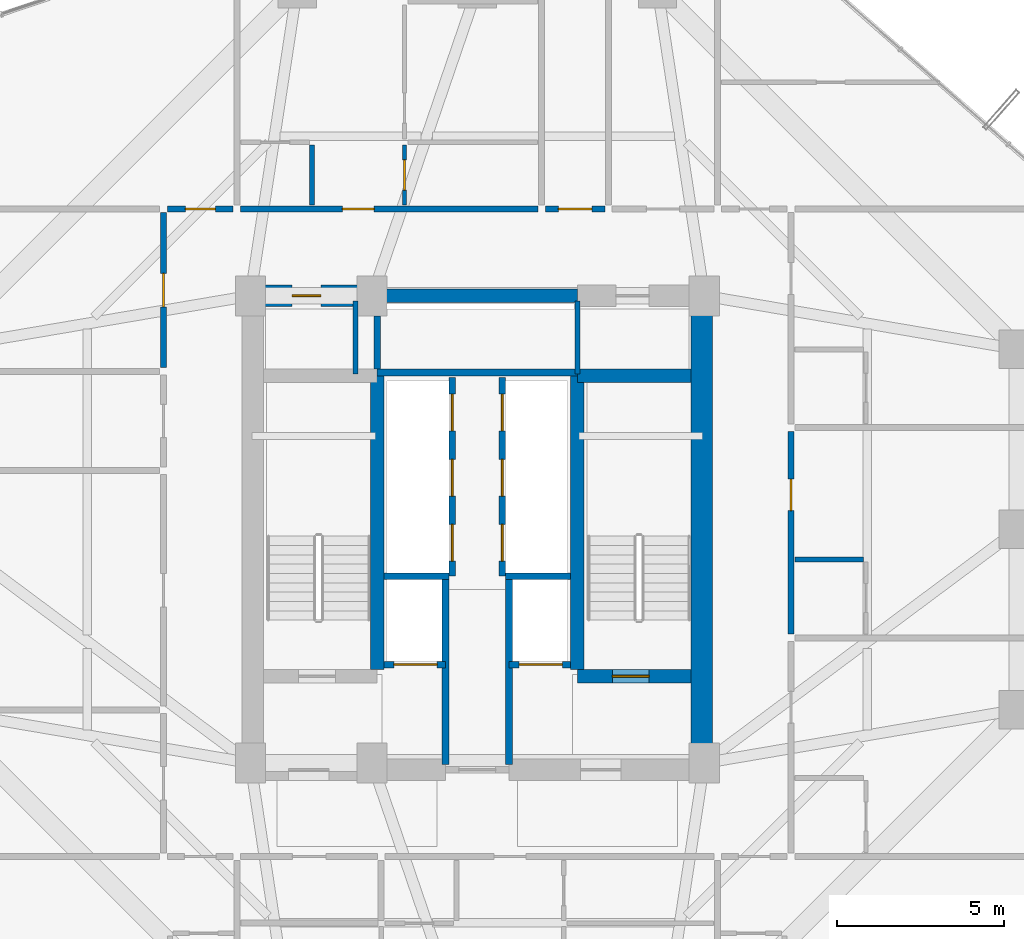
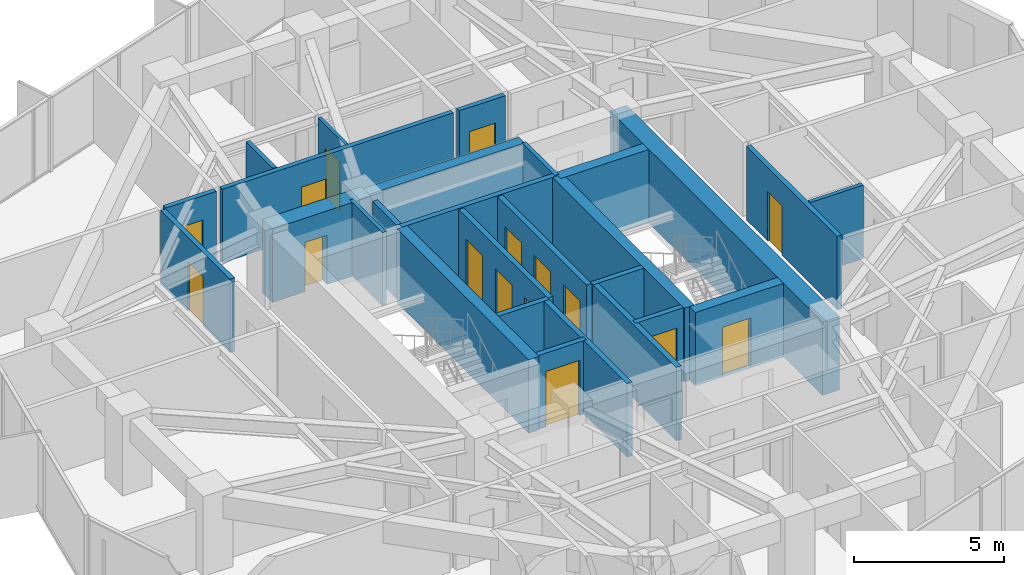
# One storey, part 29 of 32: 27 walls, 16 doors, 16 openings.
"""IFC4 building model written with IfcOpenShell, lengths in metres."""

from ifc_helpers import new_model, si_unit, direction, frame, frame_2d, origin, place, context, subcontext, project, spatial, rectangle, extrude, source, transform, mapped, material, layer, layer_set, type_object, element, fill, save


model = new_model("IFC4")

# Units and contexts
model_context = context("Model", 3, precision=1e-05, world=origin(), true_north=direction((0.0, 1.0)))
body_context = subcontext(model_context, "Body", "Model", "MODEL_VIEW")
ifc_project = project(units=[si_unit("LENGTHUNIT", "METRE"), si_unit("AREAUNIT", "SQUARE_METRE"), si_unit("VOLUMEUNIT", "CUBIC_METRE"), si_unit("PLANEANGLEUNIT", "RADIAN"), si_unit("MASSUNIT", "GRAM", prefix="KILO")], contexts=[model_context])

# Site, building, storey
site_placement = place(None, origin())
site = spatial("IfcSite", under=ifc_project, at=site_placement, CompositionType="ELEMENT")
building_placement = place(site_placement, origin())
building = spatial("IfcBuilding", under=site, at=building_placement, Name="Veraguas Prism Commons", CompositionType="ELEMENT")
storey_placement = place(building_placement, frame((0.0, 0.0, 89.449951171875)))
storey = spatial("IfcBuildingStorey", under=building, at=storey_placement, Name="L24", CompositionType="ELEMENT", Elevation=89.449951171875)

# Wall
ifc_material_1 = material(Name="Concrete C50/60", Category="concrete")
ifc_layer_1 = layer(ifc_material_1, 0.39990234375, Name="Clinic and Mid Core Shear Wall RC 400", Category="concrete")
ifc_layer_set_1 = layer_set([ifc_layer_1], Name="Concrete C50/60")
wall_type_1 = type_object("IfcWallType", Name="Clinic and Mid Core Shear Wall RC 400", PredefinedType="SHEAR", material=ifc_layer_set_1)
wall_1_placement = place(storey_placement, frame((21.0, 31.0, 0.0), z_axis=(0.0, 0.0, 1.0), x_axis=(1.0, 0.0, 0.0)))
element("IfcWall", 1, at=wall_1_placement, inside=storey, type_object=wall_type_1, Name="High-Rise Lift Bank Front Shear Wall L24", PredefinedType="SHEAR", context=body_context, shape_type="SweptSolid", body=[
    extrude(rectangle(XDim=6.0, YDim=0.39990234375, at=frame_2d((3.0, 0.0))), origin(), (0.0, 0.0, 1.0), 3.0),
])

# Wall, opening, door
wall_2_placement = place(storey_placement, frame((27.0, 19.60009765625, 0.0), z_axis=(0.0, 0.0, 1.0), x_axis=(1.0, 0.0, 0.0)))
wall_2 = element("IfcWall", 2, at=wall_2_placement, inside=storey, type_object=wall_type_1, Name="Stair ST-02 South Shear Wall L24", PredefinedType="SHEAR", context=body_context, shape_type="SweptSolid", body=[
    extrude(rectangle(XDim=3.39990234375, YDim=0.39990234375, at=frame_2d((1.699951171875, 0.0))), origin(), (0.0, 0.0, 1.0), 3.0),
])
opening_1_placement = place(wall_2_placement, frame((1.050048828125, 0.0, 0.0)))
opening_1 = element("IfcOpeningElement", 3, at=opening_1_placement, cuts=wall_2, Name="Opening DR-05", PredefinedType="OPENING", context=body_context, shape_type="SweptSolid", body=[
    extrude(rectangle(XDim=1.10009765625, YDim=2.030029296875, at=frame_2d((0.550048828125, 1.01513671875))), frame((0.0, 0.2099609375, 0.0), z_axis=(0.0, -1.0, 0.0), x_axis=(1.0, 0.0, 0.0)), (0.0, 0.0, 1.0), 0.419921875),
])
ifc_material_2 = material(Name="Steel fire-rated door assembly", Category="steel")
door_type_1 = type_object("IfcDoorType", Name="Protected Stair and Refuge Fire Door 1100x2030", OperationType="NOTDEFINED", PredefinedType="DOOR", material=ifc_material_2)
shared_shape_1 = source(origin(), body_context, "Body", "SweptSolid", [
    extrude(rectangle(XDim=1.10009765625, YDim=2.030029296875, at=frame_2d((0.550048828125, 1.01513671875))), frame((0.0, 0.02490234375, 0.0), z_axis=(0.0, -1.0, 0.0), x_axis=(1.0, 0.0, 0.0)), (0.0, 0.0, 1.0), 0.050048828125),
])
door_1_placement = place(opening_1_placement, origin())
door_1 = element("IfcDoor", 4, at=door_1_placement, inside=storey, type_object=door_type_1, Name="Stair ST-02 Enclosure Door L24", OperationType="SINGLE_SWING_LEFT", OverallHeight=2.030029296875, OverallWidth=1.10009765625, PredefinedType="DOOR", context=body_context, shape_type="MappedRepresentation", body=[
    mapped(shared_shape_1, transform((0.0, 0.0, 0.0), scale=1.0)),
])
fill(opening_1, door_1)

# Walls
for number, where, z_axis, x_axis, name in (
    (5, (21.0, 19.800048828125, 0.0), (0.0, 0.0, 1.0), (0.0, 1.0, 0.0), "Stair ST-01 Inner Shear Wall L24"),
    (6, (27.0, 19.800048828125, 0.0), (0.0, 0.0, 1.0), (0.0, 1.0, 0.0), "Stair ST-02 Inner Shear Wall L24"),
):
    element("IfcWall", number, at=place(storey_placement, frame(where, z_axis=z_axis, x_axis=x_axis)), inside=storey, type_object=wall_type_1, Name=name, PredefinedType="SHEAR", context=body_context, shape_type="SweptSolid", body=[
        extrude(rectangle(XDim=8.800048828125, YDim=0.39990234375, at=frame_2d((4.39990234375, 0.0))), origin(), (0.0, 0.0, 1.0), 3.0),
    ])
wall_3_placement = place(storey_placement, frame((27.0, 28.60009765625, 0.0), z_axis=(0.0, 0.0, 1.0), x_axis=(1.0, 0.0, 0.0)))
element("IfcWall", 7, at=wall_3_placement, inside=storey, type_object=wall_type_1, Name="Stair ST-02 North Shear Wall L24", PredefinedType="SHEAR", context=body_context, shape_type="SweptSolid", body=[
    extrude(rectangle(XDim=3.39990234375, YDim=0.39990234375, at=frame_2d((1.699951171875, 0.0))), origin(), (0.0, 0.0, 1.0), 3.0),
])
ifc_material_3 = material(Name="Concrete C55/67", Category="concrete")
ifc_layer_2 = layer(ifc_material_3, 0.64990234375, Name="Core Outer Shear Wall Mid RC 650", Category="concrete")
ifc_layer_set_2 = layer_set([ifc_layer_2], Name="Concrete C55/67")
wall_type_2 = type_object("IfcWallType", Name="Core Outer Shear Wall Mid RC 650", PredefinedType="SHEAR", material=ifc_layer_set_2)
wall_4_placement = place(storey_placement, frame((30.72509765625, 16.800048828125, 0.0), z_axis=(0.0, 0.0, 1.0), x_axis=(0.0, 1.0, 0.0)))
element("IfcWall", 8, at=wall_4_placement, inside=storey, type_object=wall_type_2, Name="Central Core East Shear Wall L24", PredefinedType="SHEAR", context=body_context, shape_type="SweptSolid", body=[
    extrude(rectangle(XDim=14.199951171875, YDim=0.64990234375, at=frame_2d((7.10009765625, 0.0))), origin(), (0.0, 0.0, 1.0), 3.0),
])

# Wall, opening, door
wall_5_placement = place(storey_placement, frame((17.199951171875, 31.0, 0.0), z_axis=(0.0, 0.0, 1.0), x_axis=(1.0, 0.0, 0.0)))
wall_5 = element("IfcWall", 9, at=wall_5_placement, inside=storey, type_object=wall_type_2, Name="Central Core North-West Shear Wall L24", PredefinedType="SHEAR", context=body_context, shape_type="SweptSolid", body=[
    extrude(rectangle(XDim=3.800048828125, YDim=0.64990234375, at=frame_2d((1.89990234375, 0.0))), origin(), (0.0, 0.0, 1.0), 3.0),
])
opening_2_placement = place(wall_5_placement, frame((1.25, 0.0, 0.0)))
opening_2 = element("IfcOpeningElement", 10, at=opening_2_placement, cuts=wall_5, Name="Opening DR-12", PredefinedType="OPENING", context=body_context, shape_type="SweptSolid", body=[
    extrude(rectangle(XDim=0.860107421875, YDim=2.010009765625, at=frame_2d((0.43017578125, 1.0048828125))), frame((0.0, 0.3349609375, 0.0), z_axis=(0.0, -1.0, 0.0), x_axis=(1.0, 0.0, 0.0)), (0.0, 0.0, 1.0), 0.669921875),
])
door_type_2 = type_object("IfcDoorType", Name="Core WC Fire Door 860x2010", OperationType="NOTDEFINED", PredefinedType="DOOR", material=ifc_material_2)
shared_shape_2 = source(origin(), body_context, "Body", "SweptSolid", [
    extrude(rectangle(XDim=0.860107421875, YDim=2.010009765625, at=frame_2d((0.43017578125, 1.0048828125))), frame((0.0, 0.02490234375, 0.0), z_axis=(0.0, -1.0, 0.0), x_axis=(1.0, 0.0, 0.0)), (0.0, 0.0, 1.0), 0.050048828125),
])
door_2_placement = place(opening_2_placement, origin())
door_2 = element("IfcDoor", 11, at=door_2_placement, inside=storey, type_object=door_type_2, Name="Core NW Service Door L24", OperationType="SINGLE_SWING_RIGHT", OverallHeight=2.010009765625, OverallWidth=0.860107421875, PredefinedType="DOOR", context=body_context, shape_type="MappedRepresentation", body=[
    mapped(shared_shape_2, transform((0.0, 0.0, 0.0), scale=1.0)),
])
fill(opening_2, door_2)

ifc_material_4 = material(Name="Autoclaved aerated masonry block 10 MPa", Category="masonry")
ifc_layer_3 = layer(ifc_material_4, 0.179931640625, Name="Corridor and Inter-Tenancy Partition 180", Category="masonry")
ifc_layer_set_3 = layer_set([ifc_layer_3], Name="Autoclaved aerated masonry block 10 MPa")
wall_type_3 = type_object("IfcWallType", Name="Corridor and Inter-Tenancy Partition 180", PredefinedType="PARTITIONING", material=ifc_layer_set_3)
wall_6_placement = place(storey_placement, frame((16.909912109375, 33.60009765625, 0.0), z_axis=(0.0, 0.0, 1.0), x_axis=(1.0, 0.0, 0.0)))
wall_6 = element("IfcWall", 12, at=wall_6_placement, inside=storey, type_object=wall_type_3, Name="WL-L24-PT017", PredefinedType="PARTITIONING", context=body_context, shape_type="SweptSolid", body=[
    extrude(rectangle(XDim=8.908203125, YDim=0.179931640625, at=frame_2d((4.4541015625, 0.0))), origin(), (0.0, 0.0, 1.0), 3.0),
])
opening_3_placement = place(wall_6_placement, frame((3.050048828125, 0.0, 0.0)))
opening_3 = element("IfcOpeningElement", 13, at=opening_3_placement, cuts=wall_6, Name="Opening DR-01", PredefinedType="OPENING", context=body_context, shape_type="SweptSolid", body=[
    extrude(rectangle(XDim=0.949951171875, YDim=2.02001953125, at=frame_2d((0.47509765625, 1.010009765625))), frame((0.0, 0.099853515625, 0.0), z_axis=(0.0, -1.0, 0.0), x_axis=(1.0, 0.0, 0.0)), (0.0, 0.0, 1.0), 0.199951171875),
])
ifc_material_5 = material(Name="Anodised aluminium EN AW-6063 T6", Category="aluminium")
door_type_3 = type_object("IfcDoorType", Name="Apartment Entrance Fire Door 950x2020", OperationType="NOTDEFINED", PredefinedType="DOOR", material=ifc_material_5)
shared_shape_3 = source(origin(), body_context, "Body", "SweptSolid", [
    extrude(rectangle(XDim=0.949951171875, YDim=2.02001953125, at=frame_2d((0.47509765625, 1.010009765625))), frame((0.0, 0.02490234375, 0.0), z_axis=(0.0, -1.0, 0.0), x_axis=(1.0, 0.0, 0.0)), (0.0, 0.0, 1.0), 0.050048828125),
])
door_3_placement = place(opening_3_placement, origin())
door_3 = element("IfcDoor", 14, at=door_3_placement, inside=storey, type_object=door_type_3, Name="Flat 24B Entrance Door", OperationType="SINGLE_SWING_LEFT", OverallHeight=2.02001953125, OverallWidth=0.949951171875, PredefinedType="DOOR", context=body_context, shape_type="MappedRepresentation", body=[
    mapped(shared_shape_3, transform((0.0, 0.0, 0.0), scale=1.0)),
])
fill(opening_3, door_3)

wall_7_placement = place(storey_placement, frame((26.0380859375, 33.60009765625, 0.0), z_axis=(0.0, 0.0, 1.0), x_axis=(1.0, 0.0, 0.0)))
wall_7 = element("IfcWall", 15, at=wall_7_placement, inside=storey, type_object=wall_type_3, Name="WL-L24-PT026", PredefinedType="PARTITIONING", context=body_context, shape_type="SweptSolid", body=[
    extrude(rectangle(XDim=1.782958984375, YDim=0.179931640625, at=frame_2d((0.8916015625, 0.0))), origin(), (0.0, 0.0, 1.0), 3.0),
])
opening_4_placement = place(wall_7_placement, frame((0.3916015625, 0.0, 0.0)))
opening_4 = element("IfcOpeningElement", 16, at=opening_4_placement, cuts=wall_7, Name="Opening DR-13", PredefinedType="OPENING", context=body_context, shape_type="SweptSolid", body=[
    extrude(rectangle(XDim=1.0, YDim=2.010009765625, at=frame_2d((0.5, 1.0048828125))), frame((0.0, 0.099853515625, 0.0), z_axis=(0.0, -1.0, 0.0), x_axis=(1.0, 0.0, 0.0)), (0.0, 0.0, 1.0), 0.199951171875),
])
door_type_4 = type_object("IfcDoorType", Name="Core Accessible WC and Clinic Fire Door 1000x2010", OperationType="NOTDEFINED", PredefinedType="DOOR", material=ifc_material_2)
shared_shape_4 = source(origin(), body_context, "Body", "SweptSolid", [
    extrude(rectangle(XDim=1.0, YDim=2.010009765625, at=frame_2d((0.5, 1.0048828125))), frame((0.0, 0.02490234375, 0.0), z_axis=(0.0, -1.0, 0.0), x_axis=(1.0, 0.0, 0.0)), (0.0, 0.0, 1.0), 0.050048828125),
])
door_4_placement = place(opening_4_placement, origin())
door_4 = element("IfcDoor", 17, at=door_4_placement, inside=storey, type_object=door_type_4, Name="Residents Study Room Door", OperationType="SINGLE_SWING_RIGHT", OverallHeight=2.010009765625, OverallWidth=1.0, PredefinedType="DOOR", context=body_context, shape_type="MappedRepresentation", body=[
    mapped(shared_shape_4, transform((0.0, 0.0, 0.0), scale=1.0)),
])
fill(opening_4, door_4)

wall_8_placement = place(storey_placement, frame((14.60009765625, 28.847900390625, 0.0), z_axis=(0.0, 0.0, 1.0), x_axis=(0.0, 1.0, 0.0)))
wall_8 = element("IfcWall", 18, at=wall_8_placement, inside=storey, type_object=wall_type_3, Name="WL-L24-PT036", PredefinedType="PARTITIONING", context=body_context, shape_type="SweptSolid", body=[
    extrude(rectangle(XDim=4.64208984375, YDim=0.179931640625, at=frame_2d((2.321044921875, 0.0))), origin(), (0.0, 0.0, 1.0), 3.0),
])
opening_5_placement = place(wall_8_placement, frame((1.821044921875, 0.0, 0.0)))
opening_5 = element("IfcOpeningElement", 19, at=opening_5_placement, cuts=wall_8, Name="Opening DR-13", PredefinedType="OPENING", context=body_context, shape_type="SweptSolid", body=[
    extrude(rectangle(XDim=1.0, YDim=2.010009765625, at=frame_2d((0.5, 1.0048828125))), frame((0.0, 0.099853515625, 0.0), z_axis=(0.0, -1.0, 0.0), x_axis=(1.0, 0.0, 0.0)), (0.0, 0.0, 1.0), 0.199951171875),
])
door_5_placement = place(opening_5_placement, origin())
door_5 = element("IfcDoor", 20, at=door_5_placement, inside=storey, type_object=door_type_4, Name="Co-op Store W Door", OperationType="SINGLE_SWING_LEFT", OverallHeight=2.010009765625, OverallWidth=1.0, PredefinedType="DOOR", context=body_context, shape_type="MappedRepresentation", body=[
    mapped(shared_shape_4, transform((0.0, 0.0, 0.0), scale=1.0)),
])
fill(opening_5, door_5)

wall_9_placement = place(storey_placement, frame((33.39990234375, 20.862060546875, 0.0), z_axis=(0.0, 0.0, 1.0), x_axis=(0.0, 1.0, 0.0)))
wall_9 = element("IfcWall", 21, at=wall_9_placement, inside=storey, type_object=wall_type_3, Name="WL-L24-PT044", PredefinedType="PARTITIONING", context=body_context, shape_type="SweptSolid", body=[
    extrude(rectangle(XDim=6.075927734375, YDim=0.179931640625, at=frame_2d((3.0380859375, 0.0))), origin(), (0.0, 0.0, 1.0), 3.0),
])
opening_6_placement = place(wall_9_placement, frame((3.697265625, 0.0, 0.0)))
opening_6 = element("IfcOpeningElement", 22, at=opening_6_placement, cuts=wall_9, Name="Opening DR-01", PredefinedType="OPENING", context=body_context, shape_type="SweptSolid", body=[
    extrude(rectangle(XDim=0.949951171875, YDim=2.02001953125, at=frame_2d((0.47509765625, 1.010009765625))), frame((0.0, 0.099853515625, 0.0), z_axis=(0.0, -1.0, 0.0), x_axis=(1.0, 0.0, 0.0)), (0.0, 0.0, 1.0), 0.199951171875),
])
door_6_placement = place(opening_6_placement, origin())
door_6 = element("IfcDoor", 23, at=door_6_placement, inside=storey, type_object=door_type_3, Name="Studio 24D Entrance Door", OperationType="SINGLE_SWING_RIGHT", OverallHeight=2.02001953125, OverallWidth=0.949951171875, PredefinedType="DOOR", context=body_context, shape_type="MappedRepresentation", body=[
    mapped(shared_shape_3, transform((0.0, 0.0, 0.0), scale=1.0)),
])
fill(opening_6, door_6)

wall_10_placement = place(storey_placement, frame((14.719970703125, 33.60009765625, 0.0), z_axis=(0.0, 0.0, 1.0), x_axis=(1.0, 0.0, 0.0)))
wall_10 = element("IfcWall", 24, at=wall_10_placement, inside=storey, type_object=wall_type_3, Name="WL-L24-PT059", PredefinedType="PARTITIONING", context=body_context, shape_type="SweptSolid", body=[
    extrude(rectangle(XDim=1.9599609375, YDim=0.179931640625, at=frame_2d((0.97998046875, 0.0))), origin(), (0.0, 0.0, 1.0), 3.0),
])
opening_7_placement = place(wall_10_placement, frame((0.530029296875, 0.0, 0.0)))
opening_7 = element("IfcOpeningElement", 25, at=opening_7_placement, cuts=wall_10, Name="Opening DR-14", PredefinedType="OPENING", context=body_context, shape_type="SweptSolid", body=[
    extrude(rectangle(XDim=0.89990234375, YDim=2.010009765625, at=frame_2d((0.449951171875, 1.0048828125))), frame((0.0, 0.099853515625, 0.0), z_axis=(0.0, -1.0, 0.0), x_axis=(1.0, 0.0, 0.0)), (0.0, 0.0, 1.0), 0.199951171875),
])
door_type_5 = type_object("IfcDoorType", Name="Core Service Room Fire Door 900x2010", OperationType="NOTDEFINED", PredefinedType="DOOR", material=ifc_material_2)
shared_shape_5 = source(origin(), body_context, "Body", "SweptSolid", [
    extrude(rectangle(XDim=0.89990234375, YDim=2.010009765625, at=frame_2d((0.449951171875, 1.0048828125))), frame((0.0, 0.02490234375, 0.0), z_axis=(0.0, -1.0, 0.0), x_axis=(1.0, 0.0, 0.0)), (0.0, 0.0, 1.0), 0.050048828125),
])
door_7_placement = place(opening_7_placement, origin())
door_7 = element("IfcDoor", 26, at=door_7_placement, inside=storey, type_object=door_type_5, Name="Residents Corner Study Room NW Door", OperationType="SINGLE_SWING_RIGHT", OverallHeight=2.010009765625, OverallWidth=0.89990234375, PredefinedType="DOOR", context=body_context, shape_type="MappedRepresentation", body=[
    mapped(shared_shape_5, transform((0.0, 0.0, 0.0), scale=1.0)),
])
fill(opening_7, door_7)

ifc_material_6 = material(Name="Lightweight acoustic gypsum board")
ifc_layer_4 = layer(ifc_material_6, 0.125, Name="Internal Apartment Room Partition 125")
ifc_layer_set_4 = layer_set([ifc_layer_4], Name="Lightweight acoustic gypsum board")
wall_type_4 = type_object("IfcWallType", Name="Internal Apartment Room Partition 125", PredefinedType="PARTITIONING", material=ifc_layer_set_4)
wall_11_placement = place(storey_placement, frame((21.820068359375, 33.719970703125, 0.0), z_axis=(0.0, 0.0, 1.0), x_axis=(0.0, 1.0, 0.0)))
wall_11 = element("IfcWall", 27, at=wall_11_placement, inside=storey, type_object=wall_type_4, Name="WL-L24-PT020", PredefinedType="PARTITIONING", context=body_context, shape_type="SweptSolid", body=[
    extrude(rectangle(XDim=1.800048828125, YDim=0.125, at=frame_2d((0.89990234375, 0.0))), origin(), (0.0, 0.0, 1.0), 3.0),
])
opening_8_placement = place(wall_11_placement, frame((0.449951171875, 0.0, 0.0)))
opening_8 = element("IfcOpeningElement", 28, at=opening_8_placement, cuts=wall_11, Name="Opening DR-02", PredefinedType="OPENING", context=body_context, shape_type="SweptSolid", body=[
    extrude(rectangle(XDim=0.89990234375, YDim=2.010009765625, at=frame_2d((0.449951171875, 1.0048828125))), frame((0.0, 0.072509765625, 0.0), z_axis=(0.0, -1.0, 0.0), x_axis=(1.0, 0.0, 0.0)), (0.0, 0.0, 1.0), 0.14501953125),
])
ifc_material_7 = material(Name="Timber solid core hardwood", Category="wood")
door_type_6 = type_object("IfcDoorType", Name="Internal Habitable Room Door 900x2010", OperationType="NOTDEFINED", PredefinedType="DOOR", material=ifc_material_7)
door_8_placement = place(opening_8_placement, origin())
door_8 = element("IfcDoor", 29, at=door_8_placement, inside=storey, type_object=door_type_6, Name="Flat 24B Kitchen Door", OperationType="SINGLE_SWING_LEFT", OverallHeight=2.010009765625, OverallWidth=0.89990234375, PredefinedType="DOOR", context=body_context, shape_type="MappedRepresentation", body=[
    mapped(shared_shape_5, transform((0.0, 0.0, 0.0), scale=1.0)),
])
fill(opening_8, door_8)

ifc_layer_5 = layer(ifc_material_4, 0.199951171875, Name="Rated Shaft and Lobby Block Wall 200", Category="masonry")
ifc_layer_set_5 = layer_set([ifc_layer_5], Name="Autoclaved aerated masonry block 10 MPa")
wall_type_5 = type_object("IfcWallType", Name="Rated Shaft and Lobby Block Wall 200", PredefinedType="SOLIDWALL", material=ifc_layer_set_5)
wall_12_placement = place(storey_placement, frame((21.199951171875, 19.949951171875, 0.0), z_axis=(0.0, 0.0, 1.0), x_axis=(1.0, 0.0, 0.0)))
wall_12 = element("IfcWall", 30, at=wall_12_placement, inside=storey, type_object=wall_type_5, Name="Firefighting Lift FFL-1 Front Wall L24", PredefinedType="SOLIDWALL", context=body_context, shape_type="SweptSolid", body=[
    extrude(rectangle(XDim=1.85009765625, YDim=0.199951171875, at=frame_2d((0.925048828125, 0.0))), origin(), (0.0, 0.0, 1.0), 3.0),
])
opening_9_placement = place(wall_12_placement, frame((0.300048828125, 0.0, 0.0)))
opening_9 = element("IfcOpeningElement", 31, at=opening_9_placement, cuts=wall_12, Name="Opening LD-02", PredefinedType="OPENING", context=body_context, shape_type="SweptSolid", body=[
    extrude(rectangle(XDim=1.300048828125, YDim=2.25, at=frame_2d((0.64990234375, 1.125))), frame((0.0, 0.10986328125, 0.0), z_axis=(0.0, -1.0, 0.0), x_axis=(1.0, 0.0, 0.0)), (0.0, 0.0, 1.0), 0.219970703125),
])
ifc_material_8 = material(Name="Stainless steel AISI 316", Category="steel")
door_type_7 = type_object("IfcDoorType", Name="Firefighting Lift Sliding Landing Door 1300x2250", OperationType="NOTDEFINED", PredefinedType="DOOR", material=ifc_material_8)
shared_shape_6 = source(origin(), body_context, "Body", "SweptSolid", [
    extrude(rectangle(XDim=1.300048828125, YDim=2.25, at=frame_2d((0.64990234375, 1.125))), frame((0.0, 0.02490234375, 0.0), z_axis=(0.0, -1.0, 0.0), x_axis=(1.0, 0.0, 0.0)), (0.0, 0.0, 1.0), 0.050048828125),
])
door_9_placement = place(opening_9_placement, origin())
door_9 = element("IfcDoor", 32, at=door_9_placement, inside=storey, type_object=door_type_7, Name="Firefighting Lift FFL-1 Landing Door L24", OperationType="SLIDING_TO_LEFT", OverallHeight=2.25, OverallWidth=1.300048828125, PredefinedType="DOOR", context=body_context, shape_type="MappedRepresentation", body=[
    mapped(shared_shape_6, transform((0.0, 0.0, 0.0), scale=1.0)),
])
fill(opening_9, door_9)

wall_13_placement = place(storey_placement, frame((24.949951171875, 19.949951171875, 0.0), z_axis=(0.0, 0.0, 1.0), x_axis=(1.0, 0.0, 0.0)))
wall_13 = element("IfcWall", 33, at=wall_13_placement, inside=storey, type_object=wall_type_5, Name="Firefighting Lift FFL-2 Front Wall L24", PredefinedType="SOLIDWALL", context=body_context, shape_type="SweptSolid", body=[
    extrude(rectangle(XDim=1.85009765625, YDim=0.199951171875, at=frame_2d((0.925048828125, 0.0))), origin(), (0.0, 0.0, 1.0), 3.0),
])
opening_10_placement = place(wall_13_placement, frame((0.300048828125, 0.0, 0.0)))
opening_10 = element("IfcOpeningElement", 34, at=opening_10_placement, cuts=wall_13, Name="Opening LD-02", PredefinedType="OPENING", context=body_context, shape_type="SweptSolid", body=[
    extrude(rectangle(XDim=1.300048828125, YDim=2.25, at=frame_2d((0.64990234375, 1.125))), frame((0.0, 0.10986328125, 0.0), z_axis=(0.0, -1.0, 0.0), x_axis=(1.0, 0.0, 0.0)), (0.0, 0.0, 1.0), 0.219970703125),
])
door_10_placement = place(opening_10_placement, origin())
door_10 = element("IfcDoor", 35, at=door_10_placement, inside=storey, type_object=door_type_7, Name="Firefighting Lift FFL-2 Front Wall L24", OperationType="SLIDING_TO_LEFT", OverallHeight=2.25, OverallWidth=1.300048828125, PredefinedType="DOOR", context=body_context, shape_type="MappedRepresentation", body=[
    mapped(shared_shape_6, transform((0.0, 0.0, 0.0), scale=1.0)),
])
fill(opening_10, door_10)

# Walls
for number, where, z_axis, x_axis, name in (
    (36, (23.050048828125, 16.949951171875, 0.0), (0.0, 0.0, 1.0), (0.0, 1.0, 0.0), "West FF Lobby Divider Wall L24"),
    (37, (24.949951171875, 16.949951171875, 0.0), (0.0, 0.0, 1.0), (0.0, 1.0, 0.0), "East FF Lobby Divider Wall L24"),
):
    element("IfcWall", number, at=place(storey_placement, frame(where, z_axis=z_axis, x_axis=x_axis)), inside=storey, type_object=wall_type_5, Name=name, PredefinedType="SOLIDWALL", context=body_context, shape_type="SweptSolid", body=[
        extrude(rectangle(XDim=5.60009765625, YDim=0.199951171875, at=frame_2d((2.800048828125, 0.0))), origin(), (0.0, 0.0, 1.0), 3.0),
    ])
for number, where, z_axis, x_axis, name in (
    (38, (21.199951171875, 22.60009765625, 0.0), (0.0, 0.0, 1.0), (1.0, 0.0, 0.0), "Firefighting Lift FFL-1 Rear Wall L24"),
    (39, (24.85009765625, 22.60009765625, 0.0), (0.0, 0.0, 1.0), (1.0, 0.0, 0.0), "Firefighting Lift FFL-2 Rear Wall L24"),
):
    element("IfcWall", number, at=place(storey_placement, frame(where, z_axis=z_axis, x_axis=x_axis)), inside=storey, type_object=wall_type_5, Name=name, PredefinedType="SOLIDWALL", context=body_context, shape_type="SweptSolid", body=[
        extrude(rectangle(XDim=1.949951171875, YDim=0.199951171875, at=frame_2d((0.97509765625, 0.0))), origin(), (0.0, 0.0, 1.0), 3.0),
    ])
wall_14_placement = place(storey_placement, frame((21.0, 28.699951171875, 0.0), z_axis=(0.0, 0.0, 1.0), x_axis=(1.0, 0.0, 0.0)))
element("IfcWall", 40, at=wall_14_placement, inside=storey, type_object=wall_type_5, Name="High-Rise Lift Bank Rear Shaft Wall L24", PredefinedType="SOLIDWALL", context=body_context, shape_type="SweptSolid", body=[
    extrude(rectangle(XDim=6.0, YDim=0.199951171875, at=frame_2d((3.0, 0.0))), origin(), (0.0, 0.0, 1.0), 3.0),
])
wall_15_placement = place(storey_placement, frame((21.0, 28.800048828125, 0.0), z_axis=(0.0, 0.0, 1.0), x_axis=(0.0, 1.0, 0.0)))
element("IfcWall", 41, at=wall_15_placement, inside=storey, type_object=wall_type_5, Name="High-Rise Lift Bank West Shaft Wall L24", PredefinedType="SOLIDWALL", context=body_context, shape_type="SweptSolid", body=[
    extrude(rectangle(XDim=1.599853515625, YDim=0.199951171875, at=frame_2d((0.7998046875, 0.0))), origin(), (0.0, 0.0, 1.0), 3.0),
])

# Wall, openings, doors
wall_16_placement = place(storey_placement, frame((23.25, 22.60009765625, 0.0), z_axis=(0.0, 0.0, 1.0), x_axis=(0.0, 1.0, 0.0)))
wall_16 = element("IfcWall", 42, at=wall_16_placement, inside=storey, type_object=wall_type_5, Name="Low-Rise Lift Bank Front Wall L24", PredefinedType="SOLIDWALL", context=body_context, shape_type="SweptSolid", body=[
    extrude(rectangle(XDim=5.949951171875, YDim=0.199951171875, at=frame_2d((2.97509765625, 0.0))), origin(), (0.0, 0.0, 1.0), 3.0),
])
opening_11_placement = place(wall_16_placement, frame((0.449951171875, 0.0, 0.0)))
opening_11 = element("IfcOpeningElement", 43, at=opening_11_placement, cuts=wall_16, Name="Opening LD-01", PredefinedType="OPENING", context=body_context, shape_type="SweptSolid", body=[
    extrude(rectangle(XDim=1.10009765625, YDim=2.080078125, at=frame_2d((0.550048828125, 1.0400390625))), frame((0.0, 0.10986328125, 0.0), z_axis=(0.0, -1.0, 0.0), x_axis=(1.0, 0.0, 0.0)), (0.0, 0.0, 1.0), 0.219970703125),
])
opening_12_placement = place(wall_16_placement, frame((2.39990234375, 0.0, 0.0)))
opening_12 = element("IfcOpeningElement", 44, at=opening_12_placement, cuts=wall_16, Name="Opening LD-01", PredefinedType="OPENING", context=body_context, shape_type="SweptSolid", body=[
    extrude(rectangle(XDim=1.10009765625, YDim=2.080078125, at=frame_2d((0.550048828125, 1.0400390625))), frame((0.0, 0.10986328125, 0.0), z_axis=(0.0, -1.0, 0.0), x_axis=(1.0, 0.0, 0.0)), (0.0, 0.0, 1.0), 0.219970703125),
])
opening_13_placement = place(wall_16_placement, frame((4.35009765625, 0.0, 0.0)))
opening_13 = element("IfcOpeningElement", 45, at=opening_13_placement, cuts=wall_16, Name="Opening LD-01", PredefinedType="OPENING", context=body_context, shape_type="SweptSolid", body=[
    extrude(rectangle(XDim=1.10009765625, YDim=2.080078125, at=frame_2d((0.550048828125, 1.0400390625))), frame((0.0, 0.10986328125, 0.0), z_axis=(0.0, -1.0, 0.0), x_axis=(1.0, 0.0, 0.0)), (0.0, 0.0, 1.0), 0.219970703125),
])
door_type_8 = type_object("IfcDoorType", Name="Passenger Lift Sliding Landing Door 1100x2080", OperationType="NOTDEFINED", PredefinedType="DOOR", material=ifc_material_8)
shared_shape_7 = source(origin(), body_context, "Body", "SweptSolid", [
    extrude(rectangle(XDim=1.10009765625, YDim=2.080078125, at=frame_2d((0.550048828125, 1.0400390625))), frame((0.0, 0.02490234375, 0.0), z_axis=(0.0, -1.0, 0.0), x_axis=(1.0, 0.0, 0.0)), (0.0, 0.0, 1.0), 0.050048828125),
])
door_11_placement = place(opening_11_placement, origin())
door_11 = element("IfcDoor", 46, at=door_11_placement, inside=storey, type_object=door_type_8, Name="Sliding Landing Door PL-L1 L24", OperationType="SLIDING_TO_LEFT", OverallHeight=2.080078125, OverallWidth=1.10009765625, PredefinedType="DOOR", context=body_context, shape_type="MappedRepresentation", body=[
    mapped(shared_shape_7, transform((0.0, 0.0, 0.0), scale=1.0)),
])
fill(opening_11, door_11)
door_12_placement = place(opening_12_placement, origin())
door_12 = element("IfcDoor", 47, at=door_12_placement, inside=storey, type_object=door_type_8, Name="Sliding Landing Door PL-L2 L24", OperationType="SLIDING_TO_LEFT", OverallHeight=2.080078125, OverallWidth=1.10009765625, PredefinedType="DOOR", context=body_context, shape_type="MappedRepresentation", body=[
    mapped(shared_shape_7, transform((0.0, 0.0, 0.0), scale=1.0)),
])
fill(opening_12, door_12)
door_13_placement = place(opening_13_placement, origin())
door_13 = element("IfcDoor", 48, at=door_13_placement, inside=storey, type_object=door_type_8, Name="Sliding Landing Door PL-L3 L24", OperationType="SLIDING_TO_LEFT", OverallHeight=2.080078125, OverallWidth=1.10009765625, PredefinedType="DOOR", context=body_context, shape_type="MappedRepresentation", body=[
    mapped(shared_shape_7, transform((0.0, 0.0, 0.0), scale=1.0)),
])
fill(opening_13, door_13)

wall_17_placement = place(storey_placement, frame((24.75, 22.60009765625, 0.0), z_axis=(0.0, 0.0, 1.0), x_axis=(0.0, 1.0, 0.0)))
wall_17 = element("IfcWall", 49, at=wall_17_placement, inside=storey, type_object=wall_type_5, Name="Mid-Rise Lift Bank Front Wall L24", PredefinedType="SOLIDWALL", context=body_context, shape_type="SweptSolid", body=[
    extrude(rectangle(XDim=5.949951171875, YDim=0.199951171875, at=frame_2d((2.97509765625, 0.0))), origin(), (0.0, 0.0, 1.0), 3.0),
])
opening_14_placement = place(wall_17_placement, frame((0.449951171875, 0.0, 0.0)))
opening_14 = element("IfcOpeningElement", 50, at=opening_14_placement, cuts=wall_17, Name="Opening LD-01", PredefinedType="OPENING", context=body_context, shape_type="SweptSolid", body=[
    extrude(rectangle(XDim=1.10009765625, YDim=2.080078125, at=frame_2d((0.550048828125, 1.0400390625))), frame((0.0, 0.10986328125, 0.0), z_axis=(0.0, -1.0, 0.0), x_axis=(1.0, 0.0, 0.0)), (0.0, 0.0, 1.0), 0.219970703125),
])
opening_15_placement = place(wall_17_placement, frame((2.39990234375, 0.0, 0.0)))
opening_15 = element("IfcOpeningElement", 51, at=opening_15_placement, cuts=wall_17, Name="Opening LD-01", PredefinedType="OPENING", context=body_context, shape_type="SweptSolid", body=[
    extrude(rectangle(XDim=1.10009765625, YDim=2.080078125, at=frame_2d((0.550048828125, 1.0400390625))), frame((0.0, 0.10986328125, 0.0), z_axis=(0.0, -1.0, 0.0), x_axis=(1.0, 0.0, 0.0)), (0.0, 0.0, 1.0), 0.219970703125),
])
opening_16_placement = place(wall_17_placement, frame((4.35009765625, 0.0, 0.0)))
opening_16 = element("IfcOpeningElement", 52, at=opening_16_placement, cuts=wall_17, Name="Opening LD-01", PredefinedType="OPENING", context=body_context, shape_type="SweptSolid", body=[
    extrude(rectangle(XDim=1.10009765625, YDim=2.080078125, at=frame_2d((0.550048828125, 1.0400390625))), frame((0.0, 0.10986328125, 0.0), z_axis=(0.0, -1.0, 0.0), x_axis=(1.0, 0.0, 0.0)), (0.0, 0.0, 1.0), 0.219970703125),
])
door_14_placement = place(opening_14_placement, origin())
door_14 = element("IfcDoor", 53, at=door_14_placement, inside=storey, type_object=door_type_8, Name="Sliding Landing Door PL-M1 L24", OperationType="SLIDING_TO_LEFT", OverallHeight=2.080078125, OverallWidth=1.10009765625, PredefinedType="DOOR", context=body_context, shape_type="MappedRepresentation", body=[
    mapped(shared_shape_7, transform((0.0, 0.0, 0.0), scale=1.0)),
])
fill(opening_14, door_14)
door_15_placement = place(opening_15_placement, origin())
door_15 = element("IfcDoor", 54, at=door_15_placement, inside=storey, type_object=door_type_8, Name="Sliding Landing Door PL-M2 L24", OperationType="SLIDING_TO_LEFT", OverallHeight=2.080078125, OverallWidth=1.10009765625, PredefinedType="DOOR", context=body_context, shape_type="MappedRepresentation", body=[
    mapped(shared_shape_7, transform((0.0, 0.0, 0.0), scale=1.0)),
])
fill(opening_15, door_15)
door_16_placement = place(opening_16_placement, origin())
door_16 = element("IfcDoor", 55, at=door_16_placement, inside=storey, type_object=door_type_8, Name="Sliding Landing Door PL-M3 L24", OperationType="SLIDING_TO_LEFT", OverallHeight=2.080078125, OverallWidth=1.10009765625, PredefinedType="DOOR", context=body_context, shape_type="MappedRepresentation", body=[
    mapped(shared_shape_7, transform((0.0, 0.0, 0.0), scale=1.0)),
])
fill(opening_16, door_16)

# Walls
ifc_layer_6 = layer(ifc_material_6, 0.14990234375, Name="Wet Room and Clinic Acoustic Partition 150")
ifc_layer_set_6 = layer_set([ifc_layer_6], Name="Lightweight acoustic gypsum board")
wall_type_6 = type_object("IfcWallType", Name="Wet Room and Clinic Acoustic Partition 150", PredefinedType="PARTITIONING", material=ifc_layer_set_6)
for number, where, z_axis, x_axis, name in (
    (56, (20.35009765625, 28.64990234375, 0.0), (0.0, 0.0, 1.0), (0.0, 1.0, 0.0), "Core NW Service Inner Wall L24"),
    (57, (27.0, 28.64990234375, 0.0), (0.0, 0.0, 1.0), (0.0, 1.0, 0.0), "Core NE Service Inner Wall L24"),
):
    element("IfcWall", number, at=place(storey_placement, frame(where, z_axis=z_axis, x_axis=x_axis)), inside=storey, type_object=wall_type_6, Name=name, PredefinedType="PARTITIONING", context=body_context, shape_type="SweptSolid", body=[
        extrude(rectangle(XDim=2.2001953125, YDim=0.14990234375, at=frame_2d((1.10009765625, 0.0))), origin(), (0.0, 0.0, 1.0), 3.0),
    ])
wall_18_placement = place(storey_placement, frame((19.050048828125, 33.719970703125, 0.0), z_axis=(0.0, 0.0, 1.0), x_axis=(0.0, 1.0, 0.0)))
element("IfcWall", 58, at=wall_18_placement, inside=storey, type_object=wall_type_6, Name="WL-L24-PT018", PredefinedType="PARTITIONING", context=body_context, shape_type="SweptSolid", body=[
    extrude(rectangle(XDim=1.800048828125, YDim=0.14990234375, at=frame_2d((0.89990234375, 0.0))), origin(), (0.0, 0.0, 1.0), 3.0),
])
wall_19_placement = place(storey_placement, frame((33.52001953125, 23.10205078125, 0.0), z_axis=(0.0, 0.0, 1.0), x_axis=(1.0, 0.0, 0.0)))
element("IfcWall", 59, at=wall_19_placement, inside=storey, type_object=wall_type_6, Name="WL-L24-PT045", PredefinedType="PARTITIONING", context=body_context, shape_type="SweptSolid", body=[
    extrude(rectangle(XDim=2.050048828125, YDim=0.14990234375, at=frame_2d((1.02490234375, 0.0))), origin(), (0.0, 0.0, 1.0), 3.0),
])

save(model, "model.ifc")
